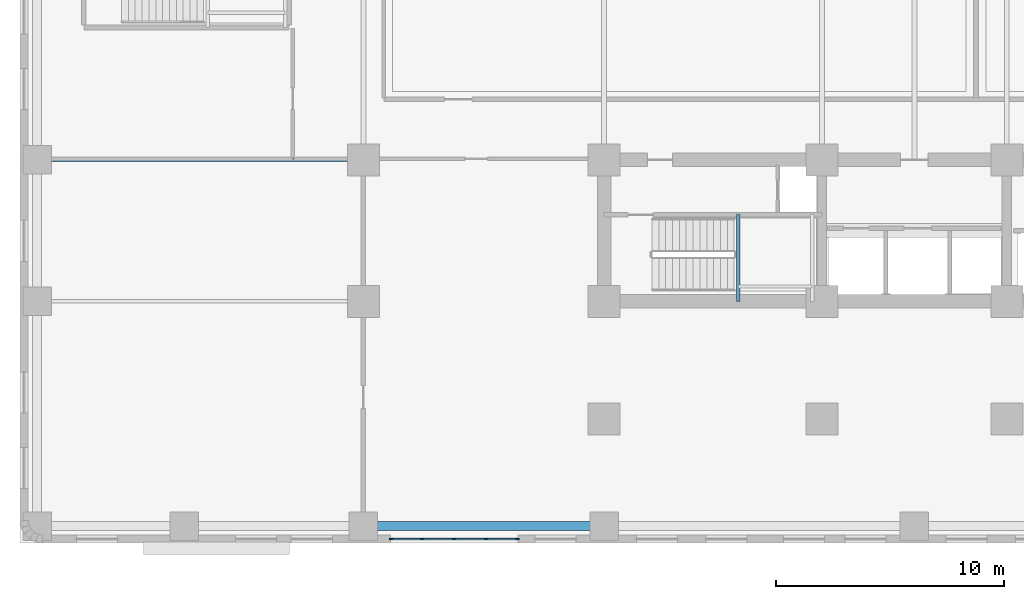
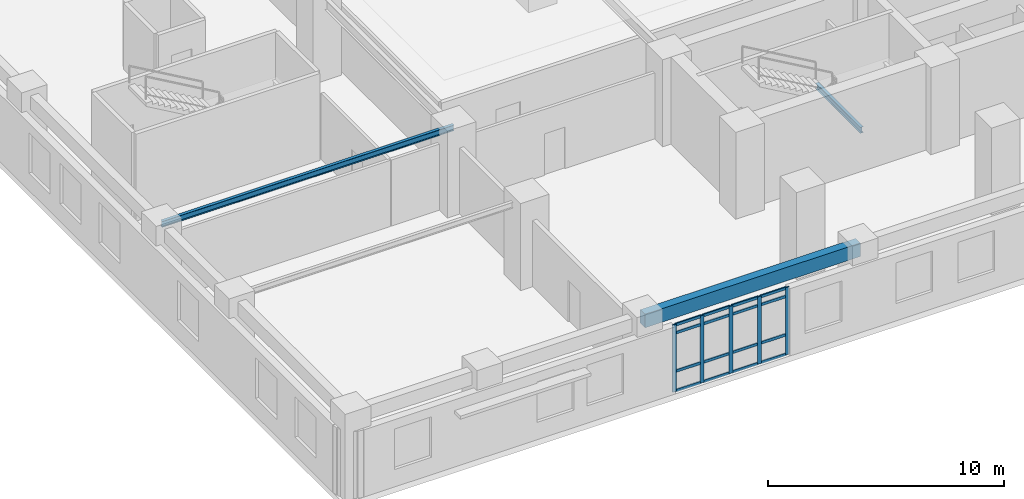
# One storey, part 2 of 16: 21 members, 3 beams, 1 element without a shape of its own.
"""IFC4 building model written with IfcOpenShell, lengths in metres."""

from ifc_helpers import new_model, si_unit, direction, frame, origin, origin_2d, place, context, subcontext, project, spatial, rectangle, i_section, extrude, material, material_profile, profile_set, type_object, element, aggregate, save


model = new_model("IFC4")

# Units and contexts
model_context = context("Model", 3, precision=1e-05, world=origin(), true_north=direction((0.0, 1.0)))
body_context = subcontext(model_context, "Body", "Model", "MODEL_VIEW")
ifc_project = project(units=[si_unit("LENGTHUNIT", "METRE"), si_unit("AREAUNIT", "SQUARE_METRE"), si_unit("VOLUMEUNIT", "CUBIC_METRE"), si_unit("PLANEANGLEUNIT", "RADIAN"), si_unit("MASSUNIT", "GRAM", prefix="KILO")], contexts=[model_context])

# Site, building, storey
site_placement = place(None, origin())
site = spatial("IfcSite", under=ifc_project, at=site_placement, CompositionType="ELEMENT")
building_placement = place(site_placement, origin())
building = spatial("IfcBuilding", under=site, at=building_placement, Name="Svetorya Sky Lyceum", CompositionType="ELEMENT")
storey_placement = place(building_placement, frame((0.0, 0.0, 11.10009765625)))
storey = spatial("IfcBuildingStorey", under=building, at=storey_placement, Name="L02", CompositionType="ELEMENT", Elevation=11.10009765625)

# Beams
ifc_material_1 = material(Name="Concrete C50/60", Category="concrete")
ifc_material_profile_1 = material_profile(ifc_material_1, rectangle(XDim=0.39990234375, YDim=0.699951171875, at=origin_2d()), Name="RC SPANDREL 400x700")
ifc_profile_set_1 = profile_set([ifc_material_profile_1], Name="Concrete C50/60")
beam_type_1 = type_object("IfcBeamType", Name="BM-SPN-700", PredefinedType="SPANDREL", material=ifc_profile_set_1)
beam_1_placement = place(storey_placement, frame((15.050048828125, 0.75, 3.849853515625), z_axis=(1.0, 0.0, 0.0), x_axis=(0.0, 1.0, 0.0)))
element("IfcBeam", 1, at=beam_1_placement, inside=storey, type_object=beam_type_1, Name="L02 Podium South Spandrel 3", PredefinedType="SPANDREL", context=body_context, shape_type="SweptSolid", body=[
    extrude(rectangle(XDim=0.39990234375, YDim=0.699951171875, at=origin_2d()), origin(), (0.0, 0.0, 1.0), 10.550048828125),
])
ifc_material_2 = material(Name="Steel S355", Category="steel")
ifc_material_profile_2 = material_profile(ifc_material_2, i_section(OverallWidth=0.14990234375, OverallDepth=0.299072265625, WebThickness=0.006591796875, FlangeThickness=0.010498046875, at=origin_2d()), Name="GOST 30B2")
ifc_profile_set_2 = profile_set([ifc_material_profile_2], Name="Steel S355")
beam_type_2 = type_object("IfcBeamType", Name="BM-STL-30B2", PredefinedType="JOIST", material=ifc_profile_set_2)
beam_2_placement = place(storey_placement, frame((0.75, 16.800048828125, 4.05029296875), z_axis=(1.0, 0.0, 0.0), x_axis=(0.0, 1.0, 0.0)))
element("IfcBeam", 2, at=beam_2_placement, inside=storey, type_object=beam_type_2, Name="L02 Podium Wing Joist W2", PredefinedType="JOIST", context=body_context, shape_type="SweptSolid", body=[
    extrude(i_section(OverallWidth=0.14990234375, OverallDepth=0.299072265625, WebThickness=0.006591796875, FlangeThickness=0.010498046875, at=origin_2d()), origin(), (0.0, 0.0, 1.0), 14.300048828125),
])
beam_3_placement = place(storey_placement, frame((31.47998046875, 10.60009765625, 1.900390625), z_axis=(0.0, 1.0, 0.0), x_axis=(-1.0, 0.0, 0.0)))
element("IfcBeam", 3, at=beam_3_placement, inside=storey, type_object=beam_type_2, Name="L02 Stair ST-S Half-Landing Support Beam 4.1", PredefinedType="JOIST", context=body_context, shape_type="SweptSolid", body=[
    extrude(i_section(OverallWidth=0.14990234375, OverallDepth=0.299072265625, WebThickness=0.006591796875, FlangeThickness=0.010498046875, at=origin_2d()), origin(), (0.0, 0.0, 1.0), 3.7998046875),
])

# Curtain wall, members
ifc_material_3 = material(Name="Thermally broken anodized aluminium and triple low-E glass", Category="aluminium")
curtain_wall_type = type_object("IfcCurtainWallType", Name="CW2-SCH-RIB", PredefinedType="NOTDEFINED", material=ifc_material_3)
curtain_wall_placement = place(storey_placement, origin())
curtain_wall = element("IfcCurtainWall", 4, at=curtain_wall_placement, inside=storey, type_object=curtain_wall_type, Name="L02 Lyceum Classroom Ribbon Curtain Wall 6", PredefinedType="NOTDEFINED")
ifc_material_4 = material(Name="Thermally broken anodized aluminium EN AW-6060", Category="aluminium")
ifc_material_profile_3 = material_profile(ifc_material_4, rectangle(XDim=0.06494140625, YDim=0.179931640625, at=origin_2d()), Name="ALU MULLION 65x180")
ifc_profile_set_3 = profile_set([ifc_material_profile_3], Name="Thermally broken anodized aluminium EN AW-6060")
member_type_1 = type_object("IfcMemberType", Name="CWM-MUL-180", PredefinedType="MULLION", material=ifc_profile_set_3)
member_1_placement = place(storey_placement, frame((16.262451171875, 0.179931640625, 0.0), z_axis=(0.0, 0.0, 1.0), x_axis=(0.0, 1.0, 0.0)))
member_1 = element("IfcMember", 5, at=member_1_placement, type_object=member_type_1, Name="CW-2 mullion 1", PredefinedType="MULLION", context=body_context, shape_type="SweptSolid", body=[
    extrude(rectangle(XDim=0.06494140625, YDim=0.179931640625, at=origin_2d()), origin(), (0.0, 0.0, 1.0), 3.47998046875),
])
member_2_placement = place(storey_placement, frame((17.6298828125, 0.179931640625, 0.0), z_axis=(0.0, 0.0, 1.0), x_axis=(0.0, 1.0, 0.0)))
member_2 = element("IfcMember", 6, at=member_2_placement, type_object=member_type_1, Name="CW-2 mullion 2", PredefinedType="MULLION", context=body_context, shape_type="SweptSolid", body=[
    extrude(rectangle(XDim=0.06494140625, YDim=0.179931640625, at=origin_2d()), origin(), (0.0, 0.0, 1.0), 3.47998046875),
])
member_3_placement = place(storey_placement, frame((19.030029296875, 0.179931640625, 0.0), z_axis=(0.0, 0.0, 1.0), x_axis=(0.0, 1.0, 0.0)))
member_3 = element("IfcMember", 7, at=member_3_placement, type_object=member_type_1, Name="CW-2 mullion 3", PredefinedType="MULLION", context=body_context, shape_type="SweptSolid", body=[
    extrude(rectangle(XDim=0.06494140625, YDim=0.179931640625, at=origin_2d()), origin(), (0.0, 0.0, 1.0), 3.47998046875),
])
member_4_placement = place(storey_placement, frame((20.429931640625, 0.179931640625, 0.0), z_axis=(0.0, 0.0, 1.0), x_axis=(0.0, 1.0, 0.0)))
member_4 = element("IfcMember", 8, at=member_4_placement, type_object=member_type_1, Name="CW-2 mullion 4", PredefinedType="MULLION", context=body_context, shape_type="SweptSolid", body=[
    extrude(rectangle(XDim=0.06494140625, YDim=0.179931640625, at=origin_2d()), origin(), (0.0, 0.0, 1.0), 3.47998046875),
])
member_5_placement = place(storey_placement, frame((21.797607421875, 0.179931640625, 0.0), z_axis=(0.0, 0.0, 1.0), x_axis=(0.0, 1.0, 0.0)))
member_5 = element("IfcMember", 9, at=member_5_placement, type_object=member_type_1, Name="CW-2 mullion 5", PredefinedType="MULLION", context=body_context, shape_type="SweptSolid", body=[
    extrude(rectangle(XDim=0.06494140625, YDim=0.179931640625, at=origin_2d()), origin(), (0.0, 0.0, 1.0), 3.47998046875),
])
ifc_material_profile_4 = material_profile(ifc_material_4, rectangle(XDim=0.06494140625, YDim=0.139892578125, at=origin_2d()), Name="ALU TRANSOM 65x140")
ifc_profile_set_4 = profile_set([ifc_material_profile_4], Name="Thermally broken anodized aluminium EN AW-6060")
member_type_2 = type_object("IfcMemberType", Name="CWM-TRN-140", PredefinedType="USERDEFINED", material=ifc_profile_set_4)
member_6_placement = place(storey_placement, frame((16.29345703125, 0.179931640625, 0.032470703125), z_axis=(1.0, 0.0, 0.0), x_axis=(0.0, 1.0, 0.0)))
member_6 = element("IfcMember", 10, at=member_6_placement, type_object=member_type_2, Name="CW-2 transom 1.1", ObjectType="TRANSOM", PredefinedType="USERDEFINED", context=body_context, shape_type="SweptSolid", body=[
    extrude(rectangle(XDim=0.06494140625, YDim=0.139892578125, at=origin_2d()), origin(), (0.0, 0.0, 1.0), 1.3056640625),
])
member_7_placement = place(storey_placement, frame((16.29345703125, 0.179931640625, 1.0439453125), z_axis=(1.0, 0.0, 0.0), x_axis=(0.0, 1.0, 0.0)))
member_7 = element("IfcMember", 11, at=member_7_placement, type_object=member_type_2, Name="CW-2 transom 1.2", ObjectType="TRANSOM", PredefinedType="USERDEFINED", context=body_context, shape_type="SweptSolid", body=[
    extrude(rectangle(XDim=0.06494140625, YDim=0.139892578125, at=origin_2d()), origin(), (0.0, 0.0, 1.0), 1.3056640625),
])
member_8_placement = place(storey_placement, frame((16.29345703125, 0.179931640625, 3.02978515625), z_axis=(1.0, 0.0, 0.0), x_axis=(0.0, 1.0, 0.0)))
member_8 = element("IfcMember", 12, at=member_8_placement, type_object=member_type_2, Name="CW-2 transom 1.3", ObjectType="TRANSOM", PredefinedType="USERDEFINED", context=body_context, shape_type="SweptSolid", body=[
    extrude(rectangle(XDim=0.06494140625, YDim=0.139892578125, at=origin_2d()), origin(), (0.0, 0.0, 1.0), 1.3056640625),
])
member_9_placement = place(storey_placement, frame((16.29345703125, 0.179931640625, 3.447509765625), z_axis=(1.0, 0.0, 0.0), x_axis=(0.0, 1.0, 0.0)))
member_9 = element("IfcMember", 13, at=member_9_placement, type_object=member_type_2, Name="CW-2 transom 1.4", ObjectType="TRANSOM", PredefinedType="USERDEFINED", context=body_context, shape_type="SweptSolid", body=[
    extrude(rectangle(XDim=0.06494140625, YDim=0.139892578125, at=origin_2d()), origin(), (0.0, 0.0, 1.0), 1.3056640625),
])
member_10_placement = place(storey_placement, frame((17.660888671875, 0.179931640625, 0.032470703125), z_axis=(1.0, 0.0, 0.0), x_axis=(0.0, 1.0, 0.0)))
member_10 = element("IfcMember", 14, at=member_10_placement, type_object=member_type_2, Name="CW-2 transom 2.1", ObjectType="TRANSOM", PredefinedType="USERDEFINED", context=body_context, shape_type="SweptSolid", body=[
    extrude(rectangle(XDim=0.06494140625, YDim=0.139892578125, at=origin_2d()), origin(), (0.0, 0.0, 1.0), 1.338134765625),
])
member_11_placement = place(storey_placement, frame((17.660888671875, 0.179931640625, 1.0439453125), z_axis=(1.0, 0.0, 0.0), x_axis=(0.0, 1.0, 0.0)))
member_11 = element("IfcMember", 15, at=member_11_placement, type_object=member_type_2, Name="CW-2 transom 2.2", ObjectType="TRANSOM", PredefinedType="USERDEFINED", context=body_context, shape_type="SweptSolid", body=[
    extrude(rectangle(XDim=0.06494140625, YDim=0.139892578125, at=origin_2d()), origin(), (0.0, 0.0, 1.0), 1.338134765625),
])
member_12_placement = place(storey_placement, frame((17.660888671875, 0.179931640625, 3.02978515625), z_axis=(1.0, 0.0, 0.0), x_axis=(0.0, 1.0, 0.0)))
member_12 = element("IfcMember", 16, at=member_12_placement, type_object=member_type_2, Name="CW-2 transom 2.3", ObjectType="TRANSOM", PredefinedType="USERDEFINED", context=body_context, shape_type="SweptSolid", body=[
    extrude(rectangle(XDim=0.06494140625, YDim=0.139892578125, at=origin_2d()), origin(), (0.0, 0.0, 1.0), 1.338134765625),
])
member_13_placement = place(storey_placement, frame((17.660888671875, 0.179931640625, 3.447509765625), z_axis=(1.0, 0.0, 0.0), x_axis=(0.0, 1.0, 0.0)))
member_13 = element("IfcMember", 17, at=member_13_placement, type_object=member_type_2, Name="CW-2 transom 2.4", ObjectType="TRANSOM", PredefinedType="USERDEFINED", context=body_context, shape_type="SweptSolid", body=[
    extrude(rectangle(XDim=0.06494140625, YDim=0.139892578125, at=origin_2d()), origin(), (0.0, 0.0, 1.0), 1.338134765625),
])
member_14_placement = place(storey_placement, frame((19.06103515625, 0.179931640625, 0.032470703125), z_axis=(1.0, 0.0, 0.0), x_axis=(0.0, 1.0, 0.0)))
member_14 = element("IfcMember", 18, at=member_14_placement, type_object=member_type_2, Name="CW-2 transom 3.1", ObjectType="TRANSOM", PredefinedType="USERDEFINED", context=body_context, shape_type="SweptSolid", body=[
    extrude(rectangle(XDim=0.06494140625, YDim=0.139892578125, at=origin_2d()), origin(), (0.0, 0.0, 1.0), 1.337890625),
])
member_15_placement = place(storey_placement, frame((19.06103515625, 0.179931640625, 1.0439453125), z_axis=(1.0, 0.0, 0.0), x_axis=(0.0, 1.0, 0.0)))
member_15 = element("IfcMember", 19, at=member_15_placement, type_object=member_type_2, Name="CW-2 transom 3.2", ObjectType="TRANSOM", PredefinedType="USERDEFINED", context=body_context, shape_type="SweptSolid", body=[
    extrude(rectangle(XDim=0.06494140625, YDim=0.139892578125, at=origin_2d()), origin(), (0.0, 0.0, 1.0), 1.337890625),
])
member_16_placement = place(storey_placement, frame((19.06103515625, 0.179931640625, 3.02978515625), z_axis=(1.0, 0.0, 0.0), x_axis=(0.0, 1.0, 0.0)))
member_16 = element("IfcMember", 20, at=member_16_placement, type_object=member_type_2, Name="CW-2 transom 3.3", ObjectType="TRANSOM", PredefinedType="USERDEFINED", context=body_context, shape_type="SweptSolid", body=[
    extrude(rectangle(XDim=0.06494140625, YDim=0.139892578125, at=origin_2d()), origin(), (0.0, 0.0, 1.0), 1.337890625),
])
member_17_placement = place(storey_placement, frame((19.06103515625, 0.179931640625, 3.447509765625), z_axis=(1.0, 0.0, 0.0), x_axis=(0.0, 1.0, 0.0)))
member_17 = element("IfcMember", 21, at=member_17_placement, type_object=member_type_2, Name="CW-2 transom 3.4", ObjectType="TRANSOM", PredefinedType="USERDEFINED", context=body_context, shape_type="SweptSolid", body=[
    extrude(rectangle(XDim=0.06494140625, YDim=0.139892578125, at=origin_2d()), origin(), (0.0, 0.0, 1.0), 1.337890625),
])
member_18_placement = place(storey_placement, frame((20.4609375, 0.179931640625, 0.032470703125), z_axis=(1.0, 0.0, 0.0), x_axis=(0.0, 1.0, 0.0)))
member_18 = element("IfcMember", 22, at=member_18_placement, type_object=member_type_2, Name="CW-2 transom 4.1", ObjectType="TRANSOM", PredefinedType="USERDEFINED", context=body_context, shape_type="SweptSolid", body=[
    extrude(rectangle(XDim=0.06494140625, YDim=0.139892578125, at=origin_2d()), origin(), (0.0, 0.0, 1.0), 1.3056640625),
])
member_19_placement = place(storey_placement, frame((20.4609375, 0.179931640625, 1.0439453125), z_axis=(1.0, 0.0, 0.0), x_axis=(0.0, 1.0, 0.0)))
member_19 = element("IfcMember", 23, at=member_19_placement, type_object=member_type_2, Name="CW-2 transom 4.2", ObjectType="TRANSOM", PredefinedType="USERDEFINED", context=body_context, shape_type="SweptSolid", body=[
    extrude(rectangle(XDim=0.06494140625, YDim=0.139892578125, at=origin_2d()), origin(), (0.0, 0.0, 1.0), 1.3056640625),
])
member_20_placement = place(storey_placement, frame((20.4609375, 0.179931640625, 3.02978515625), z_axis=(1.0, 0.0, 0.0), x_axis=(0.0, 1.0, 0.0)))
member_20 = element("IfcMember", 24, at=member_20_placement, type_object=member_type_2, Name="CW-2 transom 4.3", ObjectType="TRANSOM", PredefinedType="USERDEFINED", context=body_context, shape_type="SweptSolid", body=[
    extrude(rectangle(XDim=0.06494140625, YDim=0.139892578125, at=origin_2d()), origin(), (0.0, 0.0, 1.0), 1.3056640625),
])
member_21_placement = place(storey_placement, frame((20.4609375, 0.179931640625, 3.447509765625), z_axis=(1.0, 0.0, 0.0), x_axis=(0.0, 1.0, 0.0)))
member_21 = element("IfcMember", 25, at=member_21_placement, type_object=member_type_2, Name="CW-2 transom 4.4", ObjectType="TRANSOM", PredefinedType="USERDEFINED", context=body_context, shape_type="SweptSolid", body=[
    extrude(rectangle(XDim=0.06494140625, YDim=0.139892578125, at=origin_2d()), origin(), (0.0, 0.0, 1.0), 1.3056640625),
])
aggregate(curtain_wall, [member_1, member_2, member_3, member_4, member_5, member_6, member_7, member_8, member_9, member_10, member_11, member_12, member_13, member_14, member_15, member_16, member_17, member_18, member_19, member_20, member_21])

save(model, "model.ifc")
